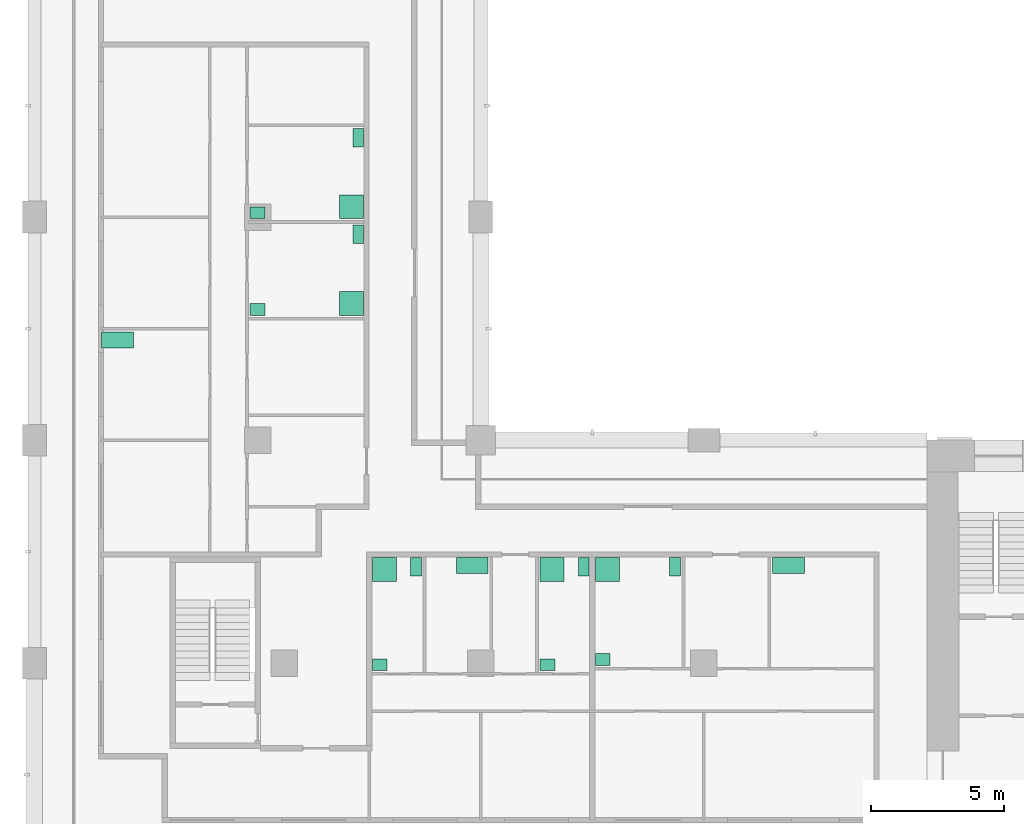
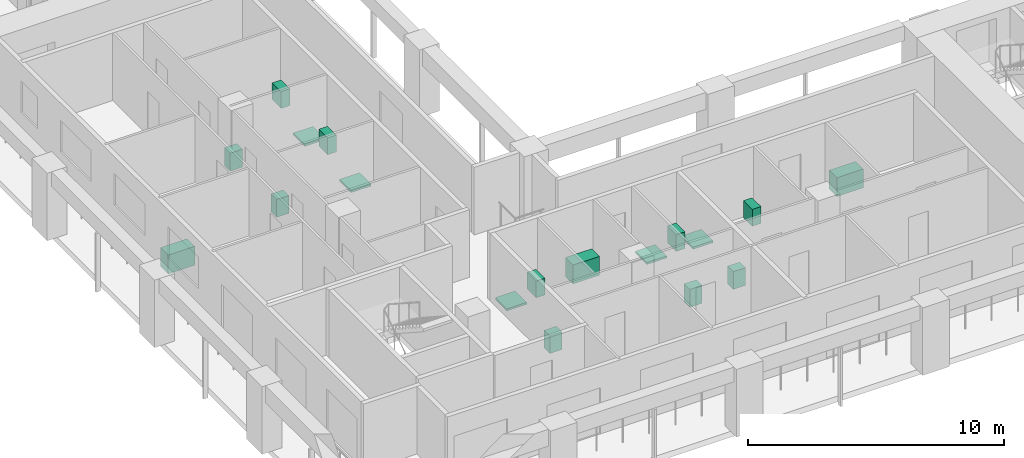
# One storey, part 10 of 10: 18 sanitary terminals.
"""IFC4 building model written with IfcOpenShell, lengths in metres."""

from ifc_helpers import new_model, si_unit, direction, frame, origin, origin_2d, place, context, subcontext, project, spatial, rectangle, extrude, material, element, save


model = new_model("IFC4")

# Units and contexts
model_context = context("Model", 3, precision=1e-05, world=origin(), true_north=direction((0.0, 1.0)))
body_context = subcontext(model_context, "Body", "Model", "MODEL_VIEW")
ifc_project = project(units=[si_unit("LENGTHUNIT", "METRE"), si_unit("AREAUNIT", "SQUARE_METRE"), si_unit("VOLUMEUNIT", "CUBIC_METRE"), si_unit("PLANEANGLEUNIT", "RADIAN"), si_unit("MASSUNIT", "GRAM", prefix="KILO")], contexts=[model_context])

# Site, building, storey
site_placement = place(None, origin())
site = spatial("IfcSite", under=ifc_project, at=site_placement, CompositionType="ELEMENT")
building_placement = place(site_placement, origin())
building = spatial("IfcBuilding", under=site, at=building_placement, Name="Vermilion Gate Residences", CompositionType="ELEMENT")
storey_placement = place(building_placement, frame((0.0, 0.0, 175.699951171875)))
storey = spatial("IfcBuildingStorey", under=building, at=storey_placement, Name="L45", CompositionType="ELEMENT", Elevation=175.699951171875)

# Sanitary terminals
ifc_material_1 = material(Name="Vitreous china")
sanitary_terminal_1_placement = place(storey_placement, frame((21.570068359375, 20.330078125, 0.0), z_axis=(0.0, 0.0, 1.0), x_axis=(1.0, 0.0, 0.0)))
element("IfcSanitaryTerminal", 1, at=sanitary_terminal_1_placement, inside=storey, material=ifc_material_1, Name="Shower tray", PredefinedType="SHOWER", context=body_context, shape_type="SweptSolid", body=[
    extrude(rectangle(XDim=0.89990234375, YDim=0.89990234375, at=origin_2d()), origin(), (0.0, 0.0, 1.0), 0.10009765625),
])
sanitary_terminal_2_placement = place(storey_placement, frame((22.760009765625, 20.429931640625, 0.0), z_axis=(0.0, 0.0, 1.0), x_axis=(1.0, 0.0, 0.0)))
element("IfcSanitaryTerminal", 2, at=sanitary_terminal_2_placement, inside=storey, material=ifc_material_1, Name="Toilet", PredefinedType="TOILETPAN", context=body_context, shape_type="SweptSolid", body=[
    extrude(rectangle(XDim=0.39990234375, YDim=0.699951171875, at=origin_2d()), origin(), (0.0, 0.0, 1.0), 0.800048828125),
])
sanitary_terminal_3_placement = place(storey_placement, frame((21.39501953125, 16.7451171875, 0.0), z_axis=(0.0, 0.0, 1.0), x_axis=(1.0, 0.0, 0.0)))
element("IfcSanitaryTerminal", 3, at=sanitary_terminal_3_placement, inside=storey, material=ifc_material_1, Name="Wash basin", PredefinedType="WASHHANDBASIN", context=body_context, shape_type="SweptSolid", body=[
    extrude(rectangle(XDim=0.550048828125, YDim=0.449951171875, at=origin_2d()), origin(), (0.0, 0.0, 1.0), 0.85009765625),
])
ifc_material_2 = material(Name="Stainless steel", Category="steel")
sanitary_terminal_4_placement = place(storey_placement, frame((24.8798828125, 20.47998046875, 0.0), z_axis=(0.0, 0.0, 1.0), x_axis=(1.0, 0.0, 0.0)))
element("IfcSanitaryTerminal", 4, at=sanitary_terminal_4_placement, inside=storey, material=ifc_material_2, Name="Kitchen sink", PredefinedType="SINK", context=body_context, shape_type="SweptSolid", body=[
    extrude(rectangle(XDim=1.199951171875, YDim=0.60009765625, at=origin_2d()), origin(), (0.0, 0.0, 1.0), 0.89990234375),
])
sanitary_terminal_5_placement = place(storey_placement, frame((27.889892578125, 20.330078125, 0.0), z_axis=(0.0, 0.0, 1.0), x_axis=(1.0, 0.0, 0.0)))
element("IfcSanitaryTerminal", 5, at=sanitary_terminal_5_placement, inside=storey, material=ifc_material_1, Name="Shower tray", PredefinedType="SHOWER", context=body_context, shape_type="SweptSolid", body=[
    extrude(rectangle(XDim=0.89990234375, YDim=0.89990234375, at=origin_2d()), origin(), (0.0, 0.0, 1.0), 0.10009765625),
])
sanitary_terminal_6_placement = place(storey_placement, frame((29.080078125, 20.429931640625, 0.0), z_axis=(0.0, 0.0, 1.0), x_axis=(1.0, 0.0, 0.0)))
element("IfcSanitaryTerminal", 6, at=sanitary_terminal_6_placement, inside=storey, material=ifc_material_1, Name="Toilet", PredefinedType="TOILETPAN", context=body_context, shape_type="SweptSolid", body=[
    extrude(rectangle(XDim=0.39990234375, YDim=0.699951171875, at=origin_2d()), origin(), (0.0, 0.0, 1.0), 0.800048828125),
])
sanitary_terminal_7_placement = place(storey_placement, frame((27.715087890625, 16.7451171875, 0.0), z_axis=(0.0, 0.0, 1.0), x_axis=(1.0, 0.0, 0.0)))
element("IfcSanitaryTerminal", 7, at=sanitary_terminal_7_placement, inside=storey, material=ifc_material_1, Name="Wash basin", PredefinedType="WASHHANDBASIN", context=body_context, shape_type="SweptSolid", body=[
    extrude(rectangle(XDim=0.550048828125, YDim=0.449951171875, at=origin_2d()), origin(), (0.0, 0.0, 1.0), 0.85009765625),
])
sanitary_terminal_8_placement = place(storey_placement, frame((29.969970703125, 20.330078125, 0.0), z_axis=(0.0, 0.0, 1.0), x_axis=(1.0, 0.0, 0.0)))
element("IfcSanitaryTerminal", 8, at=sanitary_terminal_8_placement, inside=storey, material=ifc_material_1, Name="Shower tray", PredefinedType="SHOWER", context=body_context, shape_type="SweptSolid", body=[
    extrude(rectangle(XDim=0.89990234375, YDim=0.89990234375, at=origin_2d()), origin(), (0.0, 0.0, 1.0), 0.10009765625),
])
sanitary_terminal_9_placement = place(storey_placement, frame((32.512939453125, 20.429931640625, 0.0), z_axis=(0.0, 0.0, 1.0), x_axis=(1.0, 0.0, 0.0)))
element("IfcSanitaryTerminal", 9, at=sanitary_terminal_9_placement, inside=storey, material=ifc_material_1, Name="Toilet", PredefinedType="TOILETPAN", context=body_context, shape_type="SweptSolid", body=[
    extrude(rectangle(XDim=0.39990234375, YDim=0.699951171875, at=origin_2d()), origin(), (0.0, 0.0, 1.0), 0.800048828125),
])
sanitary_terminal_10_placement = place(storey_placement, frame((29.794921875, 16.945068359375, 0.0), z_axis=(0.0, 0.0, 1.0), x_axis=(1.0, 0.0, 0.0)))
element("IfcSanitaryTerminal", 10, at=sanitary_terminal_10_placement, inside=storey, material=ifc_material_1, Name="Wash basin", PredefinedType="WASHHANDBASIN", context=body_context, shape_type="SweptSolid", body=[
    extrude(rectangle(XDim=0.550048828125, YDim=0.449951171875, at=origin_2d()), origin(), (0.0, 0.0, 1.0), 0.85009765625),
])
for number, where, z_axis, x_axis, name in (
    (11, (36.787109375, 20.47998046875, 0.0), (0.0, 0.0, 1.0), (1.0, 0.0, 0.0), "Kitchen sink"),
    (12, (11.52001953125, 28.97998046875, 0.0), (0.0, 0.0, 1.0), (1.0, 0.0, 0.0), "Kitchen sink"),
):
    element("IfcSanitaryTerminal", number, at=place(storey_placement, frame(where, z_axis=z_axis, x_axis=x_axis)), inside=storey, material=ifc_material_2, Name=name, PredefinedType="SINK", context=body_context, shape_type="SweptSolid", body=[
        extrude(rectangle(XDim=1.199951171875, YDim=0.60009765625, at=origin_2d()), origin(), (0.0, 0.0, 1.0), 0.89990234375),
    ])
sanitary_terminal_11_placement = place(storey_placement, frame((20.330078125, 30.35009765625, 0.0), z_axis=(0.0, 0.0, 1.0), x_axis=(1.0, 0.0, 0.0)))
element("IfcSanitaryTerminal", 13, at=sanitary_terminal_11_placement, inside=storey, material=ifc_material_1, Name="Shower tray", PredefinedType="SHOWER", context=body_context, shape_type="SweptSolid", body=[
    extrude(rectangle(XDim=0.89990234375, YDim=0.89990234375, at=origin_2d()), origin(), (0.0, 0.0, 1.0), 0.10009765625),
])
sanitary_terminal_12_placement = place(storey_placement, frame((20.580078125, 32.949951171875, 0.0), z_axis=(0.0, 0.0, 1.0), x_axis=(1.0, 0.0, 0.0)))
element("IfcSanitaryTerminal", 14, at=sanitary_terminal_12_placement, inside=storey, material=ifc_material_1, Name="Toilet", PredefinedType="TOILETPAN", context=body_context, shape_type="SweptSolid", body=[
    extrude(rectangle(XDim=0.39990234375, YDim=0.699951171875, at=origin_2d()), origin(), (0.0, 0.0, 1.0), 0.800048828125),
])
sanitary_terminal_13_placement = place(storey_placement, frame((16.794921875, 30.125, 0.0), z_axis=(0.0, 0.0, 1.0), x_axis=(1.0, 0.0, 0.0)))
element("IfcSanitaryTerminal", 15, at=sanitary_terminal_13_placement, inside=storey, material=ifc_material_1, Name="Wash basin", PredefinedType="WASHHANDBASIN", context=body_context, shape_type="SweptSolid", body=[
    extrude(rectangle(XDim=0.550048828125, YDim=0.449951171875, at=origin_2d()), origin(), (0.0, 0.0, 1.0), 0.85009765625),
])
sanitary_terminal_14_placement = place(storey_placement, frame((20.330078125, 33.989990234375, 0.0), z_axis=(0.0, 0.0, 1.0), x_axis=(1.0, 0.0, 0.0)))
element("IfcSanitaryTerminal", 16, at=sanitary_terminal_14_placement, inside=storey, material=ifc_material_1, Name="Shower tray", PredefinedType="SHOWER", context=body_context, shape_type="SweptSolid", body=[
    extrude(rectangle(XDim=0.89990234375, YDim=0.89990234375, at=origin_2d()), origin(), (0.0, 0.0, 1.0), 0.10009765625),
])
sanitary_terminal_15_placement = place(storey_placement, frame((20.580078125, 36.590087890625, 0.0), z_axis=(0.0, 0.0, 1.0), x_axis=(1.0, 0.0, 0.0)))
element("IfcSanitaryTerminal", 17, at=sanitary_terminal_15_placement, inside=storey, material=ifc_material_1, Name="Toilet", PredefinedType="TOILETPAN", context=body_context, shape_type="SweptSolid", body=[
    extrude(rectangle(XDim=0.39990234375, YDim=0.699951171875, at=origin_2d()), origin(), (0.0, 0.0, 1.0), 0.800048828125),
])
sanitary_terminal_16_placement = place(storey_placement, frame((16.794921875, 33.764892578125, 0.0), z_axis=(0.0, 0.0, 1.0), x_axis=(1.0, 0.0, 0.0)))
element("IfcSanitaryTerminal", 18, at=sanitary_terminal_16_placement, inside=storey, material=ifc_material_1, Name="Wash basin", PredefinedType="WASHHANDBASIN", context=body_context, shape_type="SweptSolid", body=[
    extrude(rectangle(XDim=0.550048828125, YDim=0.449951171875, at=origin_2d()), origin(), (0.0, 0.0, 1.0), 0.85009765625),
])

save(model, "model.ifc")
